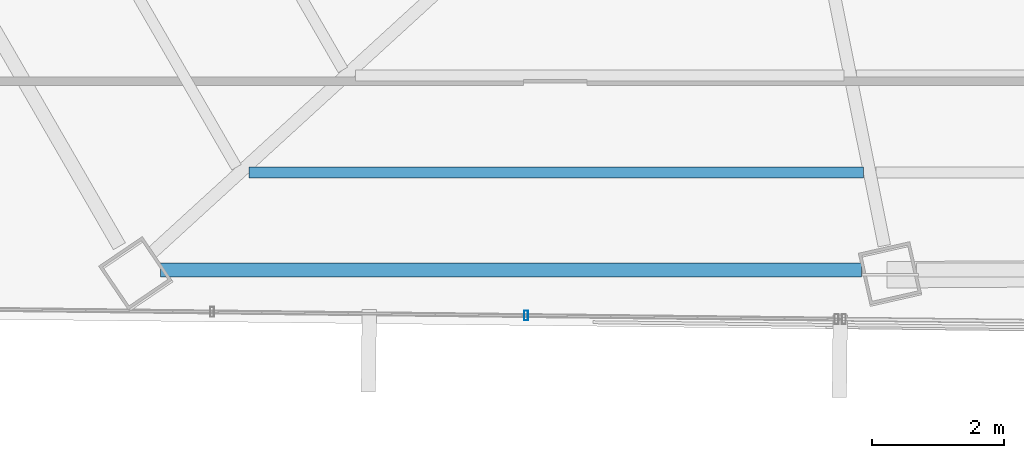
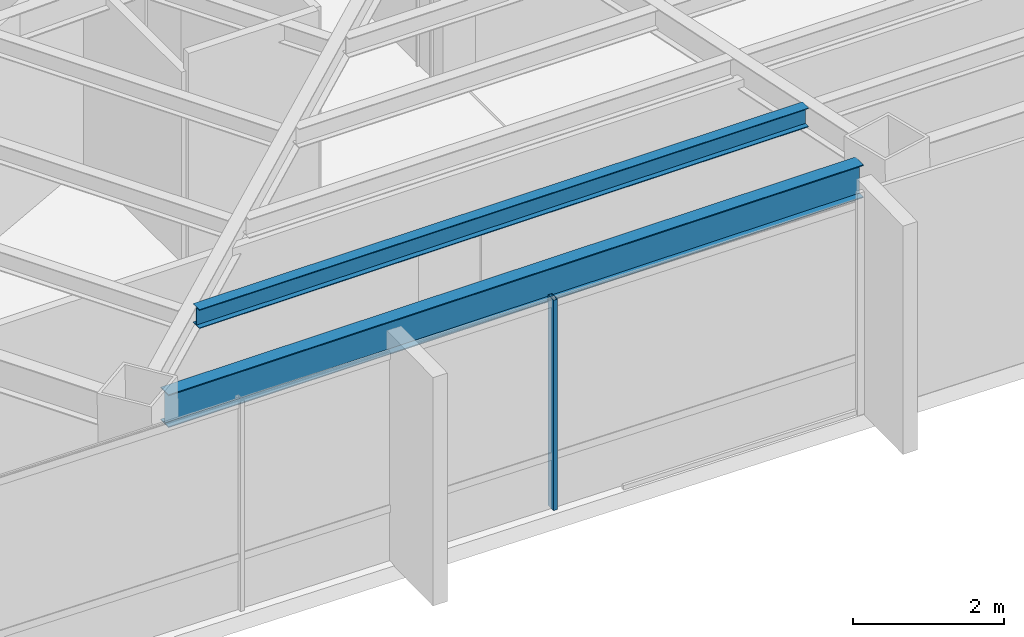
# One storey, part 5 of 40: 2 beams, 1 member, 1 element without a shape of its own.
"""IFC4 building model written with IfcOpenShell, lengths in metres."""

from ifc_helpers import new_model, si_unit, direction, frame, origin, origin_2d, place, context, subcontext, project, spatial, hollow_rectangle, i_section, extrude, source, transform, mapped, material, material_profile, profile_set, type_object, type_shapes, element, aggregate, save


model = new_model("IFC4")

# Units and contexts
model_context = context("Model", 3, precision=1e-05, world=origin(), true_north=direction((0.0, 1.0)))
body_context = subcontext(model_context, "Body", "Model", "MODEL_VIEW")
ifc_project = project(units=[si_unit("LENGTHUNIT", "METRE"), si_unit("AREAUNIT", "SQUARE_METRE"), si_unit("VOLUMEUNIT", "CUBIC_METRE"), si_unit("PLANEANGLEUNIT", "RADIAN"), si_unit("MASSUNIT", "GRAM", prefix="KILO")], contexts=[model_context])

# Site, building, storey
site_placement = place(None, origin())
site = spatial("IfcSite", under=ifc_project, at=site_placement, CompositionType="ELEMENT")
building_placement = place(site_placement, origin())
building = spatial("IfcBuilding", under=site, at=building_placement, Name="Caelisora Broadcast Tower", CompositionType="ELEMENT")
storey_placement = place(building_placement, frame((0.0, 0.0, 213.25)))
storey = spatial("IfcBuildingStorey", under=building, at=storey_placement, Name="L56", CompositionType="ELEMENT", Elevation=213.25)

# Beams
ifc_material_1 = material(Name="Steel Grade 350 (AS/NZS 3679.1)", Category="steel")
ifc_material_profile_1 = material_profile(ifc_material_1, i_section(OverallWidth=0.208984375, OverallDepth=0.532958984375, WebThickness=0.01025390625, FlangeThickness=0.015625, at=origin_2d()), Name="Steel Grade 350 (AS/NZS 3679.1)")
ifc_profile_set_1 = profile_set([ifc_material_profile_1], Name="Steel Grade 350 (AS/NZS 3679.1)")
beam_type_1 = type_object("IfcBeamType", Name="PG05", PredefinedType="BEAM", material=ifc_profile_set_1)
shared_shape_1 = source(origin(), body_context, "Body", "SweptSolid", [
    extrude(i_section(OverallWidth=0.208984375, OverallDepth=0.532958984375, WebThickness=0.01025390625, FlangeThickness=0.015625, at=origin_2d()), origin(), (0.0, 0.0, 1.0), 10.62255859375),
])
type_shapes(beam_type_1, [shared_shape_1])
beam_1_placement = place(storey_placement, frame((21.234130859375, 8.549560546875, 3.133544921875), z_axis=(1.0, 0.0, 0.0), x_axis=(0.0, 1.0, 0.0)))
element("IfcBeam", 1, at=beam_1_placement, inside=storey, type_object=beam_type_1, Name="L56 beam PG05", PredefinedType="BEAM", context=body_context, shape_type="MappedRepresentation", body=[
    mapped(shared_shape_1, transform((0.0, 0.0, 0.0), scale=1.0)),
])
ifc_material_profile_2 = material_profile(ifc_material_1, i_section(OverallWidth=0.166015625, OverallDepth=0.30712890625, WebThickness=0.006591796875, FlangeThickness=0.01171875, at=origin_2d()), Name="Steel Grade 350 (AS/NZS 3679.1)")
ifc_profile_set_2 = profile_set([ifc_material_profile_2], Name="Steel Grade 350 (AS/NZS 3679.1)")
beam_type_2 = type_object("IfcBeamType", Name="SB03", PredefinedType="JOIST", material=ifc_profile_set_2)
shared_shape_2 = source(origin(), body_context, "Body", "SweptSolid", [
    extrude(i_section(OverallWidth=0.166015625, OverallDepth=0.30712890625, WebThickness=0.006591796875, FlangeThickness=0.01171875, at=origin_2d()), origin(), (0.0, 0.0, 1.0), 9.3125),
])
type_shapes(beam_type_2, [shared_shape_2])
beam_2_placement = place(storey_placement, frame((22.5703125, 10.024658203125, 3.246337890625), z_axis=(1.0, 0.0, 0.0), x_axis=(0.0, 1.0, 0.0)))
element("IfcBeam", 2, at=beam_2_placement, inside=storey, type_object=beam_type_2, Name="L56 beam SB03", PredefinedType="JOIST", context=body_context, shape_type="MappedRepresentation", body=[
    mapped(shared_shape_2, transform((0.0, 0.0, 0.0), scale=1.0)),
])

# Curtain wall, member
ifc_material_2 = material(Name="Unitised Aluminium and Low-E Glass Curtain Wall", Category="glass")
curtain_wall_type = type_object("IfcCurtainWallType", Name="CW-Z4", PredefinedType="NOTDEFINED", material=ifc_material_2)
curtain_wall_placement = place(storey_placement, origin())
curtain_wall = element("IfcCurtainWall", 3, at=curtain_wall_placement, inside=storey, type_object=curtain_wall_type, Name="L56 curtain wall CW-Z4", PredefinedType="NOTDEFINED")
ifc_material_3 = material(Name="Aluminium 6063-T6 Anodised Terracotta Bronze", Category="aluminium")
ifc_material_profile_3 = material_profile(ifc_material_3, hollow_rectangle(XDim=0.06005859375, YDim=0.14990234375, WallThickness=0.00341796875, at=origin_2d()), Name="Aluminium 6063-T6 Anodised Terracotta Bronze")
ifc_profile_set_3 = profile_set([ifc_material_profile_3], Name="Aluminium 6063-T6 Anodised Terracotta Bronze")
member_type = type_object("IfcMemberType", Name="CWM-03", PredefinedType="MULLION", material=ifc_profile_set_3)
shared_shape_3 = source(origin(), body_context, "Body", "SweptSolid", [
    extrude(hollow_rectangle(XDim=0.06005859375, YDim=0.14990234375, WallThickness=0.00341796875, at=origin_2d()), origin(), (0.0, 0.0, 1.0), 3.39990234375),
])
type_shapes(member_type, [shared_shape_3])
member_placement = place(storey_placement, frame((26.77099609375, 7.85986328125, 0.0), z_axis=(0.0, 0.0, 1.0), x_axis=(1.0, 0.0, 0.0)))
member = element("IfcMember", 4, at=member_placement, type_object=member_type, Name="L56-CW-B07 mullion #1", PredefinedType="MULLION", context=body_context, shape_type="MappedRepresentation", body=[
    mapped(shared_shape_3, transform((0.0, 0.0, 0.0), scale=1.0)),
])
aggregate(curtain_wall, [member])

save(model, "model.ifc")
